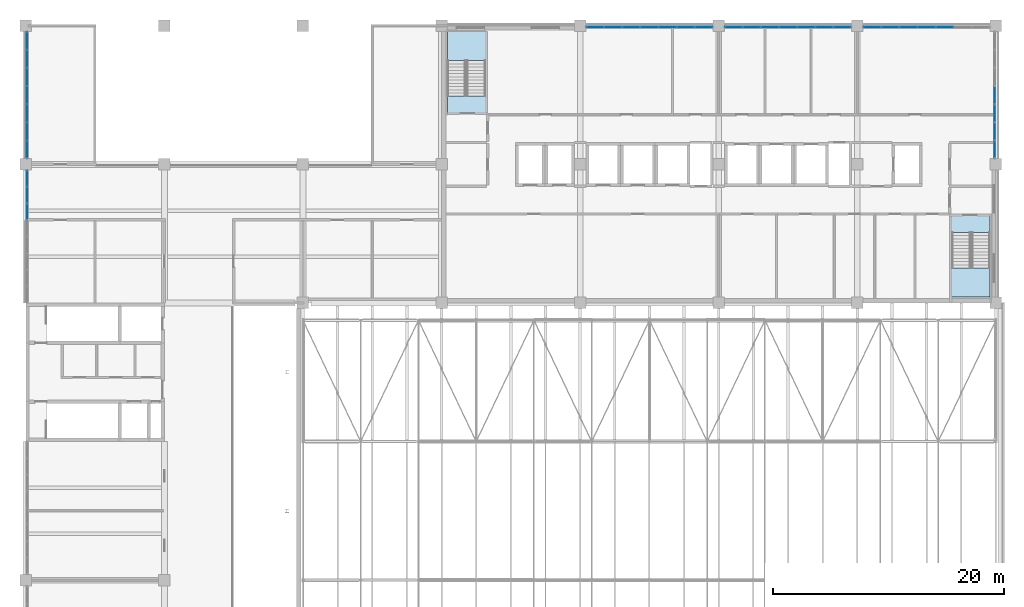
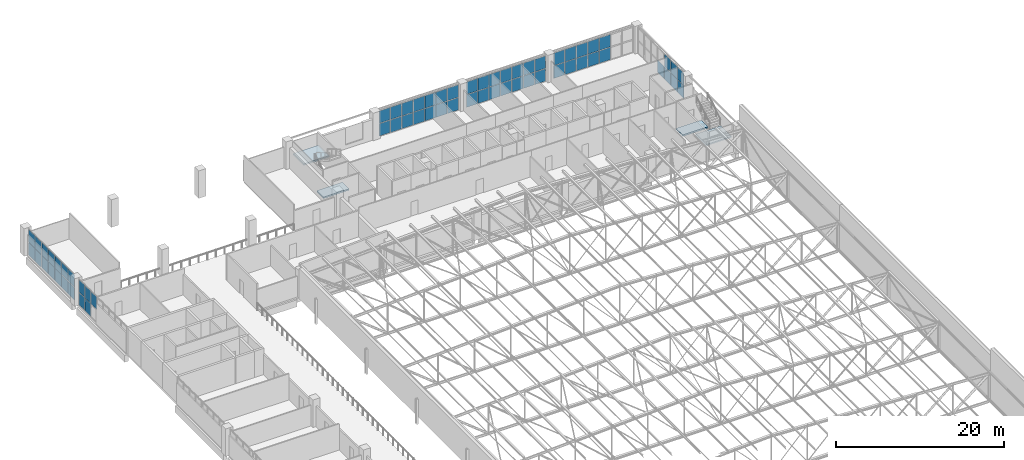
# One storey, part 139 of 156: 64 plates, 4 slabs, 8 elements without a shape of their own.
"""IFC4 building model written with IfcOpenShell, lengths in metres."""

from ifc_helpers import new_model, si_unit, direction, frame, origin, origin_2d, place, context, subcontext, project, spatial, polyline, rectangle, outline, extrude, material, layer, layer_set, type_object, element, aggregate, save


model = new_model("IFC4")

# Units and contexts
model_context = context("Model", 3, precision=1e-05, world=origin(), true_north=direction((0.0, 1.0)))
body_context = subcontext(model_context, "Body", "Model", "MODEL_VIEW")
ifc_project = project(units=[si_unit("LENGTHUNIT", "METRE"), si_unit("AREAUNIT", "SQUARE_METRE"), si_unit("VOLUMEUNIT", "CUBIC_METRE"), si_unit("PLANEANGLEUNIT", "RADIAN"), si_unit("MASSUNIT", "GRAM", prefix="KILO")], contexts=[model_context])

# Site, building, storey
site_placement = place(None, origin())
site = spatial("IfcSite", under=ifc_project, at=site_placement, CompositionType="ELEMENT")
building_placement = place(site_placement, origin())
building = spatial("IfcBuilding", under=site, at=building_placement, Name="Lilac Gate Convention Centre", CompositionType="ELEMENT")
storey_placement = place(building_placement, frame((0.0, 0.0, 17.0)))
storey = spatial("IfcBuildingStorey", under=building, at=storey_placement, Name="L03", CompositionType="ELEMENT", Elevation=17.0)

# Curtain wall, plates
ifc_material_1 = material(Name="Aluminium framed double glazing", Category="aluminium")
ifc_layer_1 = layer(ifc_material_1, 0.199951171875)
ifc_layer_set_1 = layer_set([ifc_layer_1], Name="Aluminium framed double glazing")
curtain_wall_type = type_object("IfcCurtainWallType", Name="Unitised curtain wall 1500", PredefinedType="NOTDEFINED", material=ifc_layer_set_1)
curtain_wall_1_placement = place(storey_placement, origin())
curtain_wall_1 = element("IfcCurtainWall", 1, at=curtain_wall_1_placement, inside=storey, type_object=curtain_wall_type, Name="Curtain wall E L03 2", PredefinedType="NOTDEFINED")
ifc_material_2 = material(Name="Double glazed unit low emissivity")
ifc_layer_2 = layer(ifc_material_2, 0.028076171875)
ifc_layer_set_2 = layer_set([ifc_layer_2], Name="Double glazed unit low emissivity")
plate_type_1 = type_object("IfcPlateType", Name="Curtain wall glass panel 28", PredefinedType="CURTAIN_PANEL", material=ifc_layer_set_2)
plate_1_placement = place(storey_placement, frame((89.89990234375, 235.30078125, 1.929931640625), z_axis=(0.0, 0.0, 1.0), x_axis=(0.0, 1.0, 0.0)))
plate_1 = element("IfcPlate", 2, at=plate_1_placement, type_object=plate_type_1, Name="CW panel 1.2", PredefinedType="CURTAIN_PANEL", context=body_context, shape_type="SweptSolid", body=[
    extrude(rectangle(XDim=1.4814453125, YDim=0.028076171875, at=origin_2d()), origin(), (0.0, 0.0, 1.0), 1.81005859375),
])
plate_2_placement = place(storey_placement, frame((89.89990234375, 236.857177734375, 1.929931640625), z_axis=(0.0, 0.0, 1.0), x_axis=(0.0, 1.0, 0.0)))
plate_2 = element("IfcPlate", 3, at=plate_2_placement, type_object=plate_type_1, Name="CW panel 2.2", PredefinedType="CURTAIN_PANEL", context=body_context, shape_type="SweptSolid", body=[
    extrude(rectangle(XDim=1.511474609375, YDim=0.028076171875, at=origin_2d()), origin(), (0.0, 0.0, 1.0), 1.81005859375),
])
plate_3_placement = place(storey_placement, frame((89.89990234375, 238.428466796875, 1.929931640625), z_axis=(0.0, 0.0, 1.0), x_axis=(0.0, 1.0, 0.0)))
plate_3 = element("IfcPlate", 4, at=plate_3_placement, type_object=plate_type_1, Name="CW panel 3.2", PredefinedType="CURTAIN_PANEL", context=body_context, shape_type="SweptSolid", body=[
    extrude(rectangle(XDim=1.511474609375, YDim=0.028076171875, at=origin_2d()), origin(), (0.0, 0.0, 1.0), 1.81005859375),
])

curtain_wall_2_placement = place(storey_placement, origin())
curtain_wall_2 = element("IfcCurtainWall", 5, at=curtain_wall_2_placement, inside=storey, type_object=curtain_wall_type, Name="Curtain wall N L03 1", PredefinedType="NOTDEFINED")
plate_4_placement = place(storey_placement, frame((85.571533203125, 245.89990234375, 1.929931640625), z_axis=(0.0, 0.0, 1.0), x_axis=(-1.0, 0.0, 0.0)))
plate_4 = element("IfcPlate", 6, at=plate_4_placement, type_object=plate_type_1, Name="CW panel 3.2", PredefinedType="CURTAIN_PANEL", context=body_context, shape_type="SweptSolid", body=[
    extrude(rectangle(XDim=1.511474609375, YDim=0.028076171875, at=origin_2d()), origin(), (0.0, 0.0, 1.0), 1.81005859375),
])
plate_5_placement = place(storey_placement, frame((84.0, 245.89990234375, 1.929931640625), z_axis=(0.0, 0.0, 1.0), x_axis=(-1.0, 0.0, 0.0)))
plate_5 = element("IfcPlate", 7, at=plate_5_placement, type_object=plate_type_1, Name="CW panel 4.2", PredefinedType="CURTAIN_PANEL", context=body_context, shape_type="SweptSolid", body=[
    extrude(rectangle(XDim=1.511474609375, YDim=0.028076171875, at=origin_2d()), origin(), (0.0, 0.0, 1.0), 1.81005859375),
])
plate_6_placement = place(storey_placement, frame((82.428466796875, 245.89990234375, 1.929931640625), z_axis=(0.0, 0.0, 1.0), x_axis=(-1.0, 0.0, 0.0)))
plate_6 = element("IfcPlate", 8, at=plate_6_placement, type_object=plate_type_1, Name="CW panel 5.2", PredefinedType="CURTAIN_PANEL", context=body_context, shape_type="SweptSolid", body=[
    extrude(rectangle(XDim=1.511474609375, YDim=0.028076171875, at=origin_2d()), origin(), (0.0, 0.0, 1.0), 1.81005859375),
])
plate_7_placement = place(storey_placement, frame((80.857177734375, 245.89990234375, 1.929931640625), z_axis=(0.0, 0.0, 1.0), x_axis=(-1.0, 0.0, 0.0)))
plate_7 = element("IfcPlate", 9, at=plate_7_placement, type_object=plate_type_1, Name="CW panel 6.2", PredefinedType="CURTAIN_PANEL", context=body_context, shape_type="SweptSolid", body=[
    extrude(rectangle(XDim=1.511474609375, YDim=0.028076171875, at=origin_2d()), origin(), (0.0, 0.0, 1.0), 1.81005859375),
])
plate_8_placement = place(storey_placement, frame((79.30078125, 245.89990234375, 1.929931640625), z_axis=(0.0, 0.0, 1.0), x_axis=(-1.0, 0.0, 0.0)))
plate_8 = element("IfcPlate", 10, at=plate_8_placement, type_object=plate_type_1, Name="CW panel 7.2", PredefinedType="CURTAIN_PANEL", context=body_context, shape_type="SweptSolid", body=[
    extrude(rectangle(XDim=1.4814453125, YDim=0.028076171875, at=origin_2d()), origin(), (0.0, 0.0, 1.0), 1.81005859375),
])

curtain_wall_3_placement = place(storey_placement, origin())
curtain_wall_3 = element("IfcCurtainWall", 11, at=curtain_wall_3_placement, inside=storey, type_object=curtain_wall_type, Name="Curtain wall N L03 2", PredefinedType="NOTDEFINED")
plate_9_placement = place(storey_placement, frame((76.69921875, 245.89990234375, 1.929931640625), z_axis=(0.0, 0.0, 1.0), x_axis=(-1.0, 0.0, 0.0)))
plate_9 = element("IfcPlate", 12, at=plate_9_placement, type_object=plate_type_1, Name="CW panel 1.2", PredefinedType="CURTAIN_PANEL", context=body_context, shape_type="SweptSolid", body=[
    extrude(rectangle(XDim=1.4814453125, YDim=0.028076171875, at=origin_2d()), origin(), (0.0, 0.0, 1.0), 1.81005859375),
])
plate_10_placement = place(storey_placement, frame((75.142822265625, 245.89990234375, 1.929931640625), z_axis=(0.0, 0.0, 1.0), x_axis=(-1.0, 0.0, 0.0)))
plate_10 = element("IfcPlate", 13, at=plate_10_placement, type_object=plate_type_1, Name="CW panel 2.2", PredefinedType="CURTAIN_PANEL", context=body_context, shape_type="SweptSolid", body=[
    extrude(rectangle(XDim=1.511474609375, YDim=0.028076171875, at=origin_2d()), origin(), (0.0, 0.0, 1.0), 1.81005859375),
])
plate_11_placement = place(storey_placement, frame((73.571533203125, 245.89990234375, 1.929931640625), z_axis=(0.0, 0.0, 1.0), x_axis=(-1.0, 0.0, 0.0)))
plate_11 = element("IfcPlate", 14, at=plate_11_placement, type_object=plate_type_1, Name="CW panel 3.2", PredefinedType="CURTAIN_PANEL", context=body_context, shape_type="SweptSolid", body=[
    extrude(rectangle(XDim=1.511474609375, YDim=0.028076171875, at=origin_2d()), origin(), (0.0, 0.0, 1.0), 1.81005859375),
])
plate_12_placement = place(storey_placement, frame((72.0, 245.89990234375, 1.929931640625), z_axis=(0.0, 0.0, 1.0), x_axis=(-1.0, 0.0, 0.0)))
plate_12 = element("IfcPlate", 15, at=plate_12_placement, type_object=plate_type_1, Name="CW panel 4.2", PredefinedType="CURTAIN_PANEL", context=body_context, shape_type="SweptSolid", body=[
    extrude(rectangle(XDim=1.511474609375, YDim=0.028076171875, at=origin_2d()), origin(), (0.0, 0.0, 1.0), 1.81005859375),
])
plate_13_placement = place(storey_placement, frame((70.428466796875, 245.89990234375, 1.929931640625), z_axis=(0.0, 0.0, 1.0), x_axis=(-1.0, 0.0, 0.0)))
plate_13 = element("IfcPlate", 16, at=plate_13_placement, type_object=plate_type_1, Name="CW panel 5.2", PredefinedType="CURTAIN_PANEL", context=body_context, shape_type="SweptSolid", body=[
    extrude(rectangle(XDim=1.511474609375, YDim=0.028076171875, at=origin_2d()), origin(), (0.0, 0.0, 1.0), 1.81005859375),
])
plate_14_placement = place(storey_placement, frame((68.857177734375, 245.89990234375, 1.929931640625), z_axis=(0.0, 0.0, 1.0), x_axis=(-1.0, 0.0, 0.0)))
plate_14 = element("IfcPlate", 17, at=plate_14_placement, type_object=plate_type_1, Name="CW panel 6.2", PredefinedType="CURTAIN_PANEL", context=body_context, shape_type="SweptSolid", body=[
    extrude(rectangle(XDim=1.511474609375, YDim=0.028076171875, at=origin_2d()), origin(), (0.0, 0.0, 1.0), 1.81005859375),
])
plate_15_placement = place(storey_placement, frame((67.30078125, 245.89990234375, 1.929931640625), z_axis=(0.0, 0.0, 1.0), x_axis=(-1.0, 0.0, 0.0)))
plate_15 = element("IfcPlate", 18, at=plate_15_placement, type_object=plate_type_1, Name="CW panel 7.2", PredefinedType="CURTAIN_PANEL", context=body_context, shape_type="SweptSolid", body=[
    extrude(rectangle(XDim=1.4814453125, YDim=0.028076171875, at=origin_2d()), origin(), (0.0, 0.0, 1.0), 1.81005859375),
])

curtain_wall_4_placement = place(storey_placement, origin())
curtain_wall_4 = element("IfcCurtainWall", 19, at=curtain_wall_4_placement, inside=storey, type_object=curtain_wall_type, Name="Curtain wall N L03 3", PredefinedType="NOTDEFINED")
plate_16_placement = place(storey_placement, frame((64.69921875, 245.89990234375, 1.929931640625), z_axis=(0.0, 0.0, 1.0), x_axis=(-1.0, 0.0, 0.0)))
plate_16 = element("IfcPlate", 20, at=plate_16_placement, type_object=plate_type_1, Name="CW panel 1.2", PredefinedType="CURTAIN_PANEL", context=body_context, shape_type="SweptSolid", body=[
    extrude(rectangle(XDim=1.4814453125, YDim=0.028076171875, at=origin_2d()), origin(), (0.0, 0.0, 1.0), 1.81005859375),
])
plate_17_placement = place(storey_placement, frame((63.142822265625, 245.89990234375, 1.929931640625), z_axis=(0.0, 0.0, 1.0), x_axis=(-1.0, 0.0, 0.0)))
plate_17 = element("IfcPlate", 21, at=plate_17_placement, type_object=plate_type_1, Name="CW panel 2.2", PredefinedType="CURTAIN_PANEL", context=body_context, shape_type="SweptSolid", body=[
    extrude(rectangle(XDim=1.511474609375, YDim=0.028076171875, at=origin_2d()), origin(), (0.0, 0.0, 1.0), 1.81005859375),
])
plate_18_placement = place(storey_placement, frame((61.571533203125, 245.89990234375, 1.929931640625), z_axis=(0.0, 0.0, 1.0), x_axis=(-1.0, 0.0, 0.0)))
plate_18 = element("IfcPlate", 22, at=plate_18_placement, type_object=plate_type_1, Name="CW panel 3.2", PredefinedType="CURTAIN_PANEL", context=body_context, shape_type="SweptSolid", body=[
    extrude(rectangle(XDim=1.511474609375, YDim=0.028076171875, at=origin_2d()), origin(), (0.0, 0.0, 1.0), 1.81005859375),
])
plate_19_placement = place(storey_placement, frame((60.0, 245.89990234375, 1.929931640625), z_axis=(0.0, 0.0, 1.0), x_axis=(-1.0, 0.0, 0.0)))
plate_19 = element("IfcPlate", 23, at=plate_19_placement, type_object=plate_type_1, Name="CW panel 4.2", PredefinedType="CURTAIN_PANEL", context=body_context, shape_type="SweptSolid", body=[
    extrude(rectangle(XDim=1.511474609375, YDim=0.028076171875, at=origin_2d()), origin(), (0.0, 0.0, 1.0), 1.81005859375),
])
plate_20_placement = place(storey_placement, frame((58.428466796875, 245.89990234375, 1.929931640625), z_axis=(0.0, 0.0, 1.0), x_axis=(-1.0, 0.0, 0.0)))
plate_20 = element("IfcPlate", 24, at=plate_20_placement, type_object=plate_type_1, Name="CW panel 5.2", PredefinedType="CURTAIN_PANEL", context=body_context, shape_type="SweptSolid", body=[
    extrude(rectangle(XDim=1.511474609375, YDim=0.028076171875, at=origin_2d()), origin(), (0.0, 0.0, 1.0), 1.81005859375),
])
plate_21_placement = place(storey_placement, frame((56.857177734375, 245.89990234375, 1.929931640625), z_axis=(0.0, 0.0, 1.0), x_axis=(-1.0, 0.0, 0.0)))
plate_21 = element("IfcPlate", 25, at=plate_21_placement, type_object=plate_type_1, Name="CW panel 6.2", PredefinedType="CURTAIN_PANEL", context=body_context, shape_type="SweptSolid", body=[
    extrude(rectangle(XDim=1.511474609375, YDim=0.028076171875, at=origin_2d()), origin(), (0.0, 0.0, 1.0), 1.81005859375),
])
plate_22_placement = place(storey_placement, frame((55.30078125, 245.89990234375, 1.929931640625), z_axis=(0.0, 0.0, 1.0), x_axis=(-1.0, 0.0, 0.0)))
plate_22 = element("IfcPlate", 26, at=plate_22_placement, type_object=plate_type_1, Name="CW panel 7.2", PredefinedType="CURTAIN_PANEL", context=body_context, shape_type="SweptSolid", body=[
    extrude(rectangle(XDim=1.4814453125, YDim=0.028076171875, at=origin_2d()), origin(), (0.0, 0.0, 1.0), 1.81005859375),
])

curtain_wall_5_placement = place(storey_placement, origin())
curtain_wall_5 = element("IfcCurtainWall", 27, at=curtain_wall_5_placement, inside=storey, type_object=curtain_wall_type, Name="Curtain wall GW L03 1", PredefinedType="NOTDEFINED")
plate_23_placement = place(storey_placement, frame((6.10009765625, 244.69921875, 1.929931640625), z_axis=(0.0, 0.0, 1.0), x_axis=(0.0, -1.0, 0.0)))
plate_23 = element("IfcPlate", 28, at=plate_23_placement, type_object=plate_type_1, Name="CW panel 1.2", PredefinedType="CURTAIN_PANEL", context=body_context, shape_type="SweptSolid", body=[
    extrude(rectangle(XDim=1.4814453125, YDim=0.028076171875, at=origin_2d()), origin(), (0.0, 0.0, 1.0), 1.81005859375),
])
plate_24_placement = place(storey_placement, frame((6.10009765625, 243.142822265625, 1.929931640625), z_axis=(0.0, 0.0, 1.0), x_axis=(0.0, -1.0, 0.0)))
plate_24 = element("IfcPlate", 29, at=plate_24_placement, type_object=plate_type_1, Name="CW panel 2.2", PredefinedType="CURTAIN_PANEL", context=body_context, shape_type="SweptSolid", body=[
    extrude(rectangle(XDim=1.511474609375, YDim=0.028076171875, at=origin_2d()), origin(), (0.0, 0.0, 1.0), 1.81005859375),
])
plate_25_placement = place(storey_placement, frame((6.10009765625, 241.571533203125, 1.929931640625), z_axis=(0.0, 0.0, 1.0), x_axis=(0.0, -1.0, 0.0)))
plate_25 = element("IfcPlate", 30, at=plate_25_placement, type_object=plate_type_1, Name="CW panel 3.2", PredefinedType="CURTAIN_PANEL", context=body_context, shape_type="SweptSolid", body=[
    extrude(rectangle(XDim=1.511474609375, YDim=0.028076171875, at=origin_2d()), origin(), (0.0, 0.0, 1.0), 1.81005859375),
])
plate_26_placement = place(storey_placement, frame((6.10009765625, 240.0, 1.929931640625), z_axis=(0.0, 0.0, 1.0), x_axis=(0.0, -1.0, 0.0)))
plate_26 = element("IfcPlate", 31, at=plate_26_placement, type_object=plate_type_1, Name="CW panel 4.2", PredefinedType="CURTAIN_PANEL", context=body_context, shape_type="SweptSolid", body=[
    extrude(rectangle(XDim=1.511474609375, YDim=0.028076171875, at=origin_2d()), origin(), (0.0, 0.0, 1.0), 1.81005859375),
])
plate_27_placement = place(storey_placement, frame((6.10009765625, 238.428466796875, 1.929931640625), z_axis=(0.0, 0.0, 1.0), x_axis=(0.0, -1.0, 0.0)))
plate_27 = element("IfcPlate", 32, at=plate_27_placement, type_object=plate_type_1, Name="CW panel 5.2", PredefinedType="CURTAIN_PANEL", context=body_context, shape_type="SweptSolid", body=[
    extrude(rectangle(XDim=1.511474609375, YDim=0.028076171875, at=origin_2d()), origin(), (0.0, 0.0, 1.0), 1.81005859375),
])
plate_28_placement = place(storey_placement, frame((6.10009765625, 236.857177734375, 1.929931640625), z_axis=(0.0, 0.0, 1.0), x_axis=(0.0, -1.0, 0.0)))
plate_28 = element("IfcPlate", 33, at=plate_28_placement, type_object=plate_type_1, Name="CW panel 6.2", PredefinedType="CURTAIN_PANEL", context=body_context, shape_type="SweptSolid", body=[
    extrude(rectangle(XDim=1.511474609375, YDim=0.028076171875, at=origin_2d()), origin(), (0.0, 0.0, 1.0), 1.81005859375),
])
plate_29_placement = place(storey_placement, frame((6.10009765625, 235.30078125, 1.929931640625), z_axis=(0.0, 0.0, 1.0), x_axis=(0.0, -1.0, 0.0)))
plate_29 = element("IfcPlate", 34, at=plate_29_placement, type_object=plate_type_1, Name="CW panel 7.2", PredefinedType="CURTAIN_PANEL", context=body_context, shape_type="SweptSolid", body=[
    extrude(rectangle(XDim=1.4814453125, YDim=0.028076171875, at=origin_2d()), origin(), (0.0, 0.0, 1.0), 1.81005859375),
])

curtain_wall_6_placement = place(storey_placement, origin())
curtain_wall_6 = element("IfcCurtainWall", 35, at=curtain_wall_6_placement, inside=storey, type_object=curtain_wall_type, Name="Curtain wall GW L03 2", PredefinedType="NOTDEFINED")
plate_30_placement = place(storey_placement, frame((6.10009765625, 232.766357421875, 1.929931640625), z_axis=(0.0, 0.0, 1.0), x_axis=(0.0, -1.0, 0.0)))
plate_30 = element("IfcPlate", 36, at=plate_30_placement, type_object=plate_type_1, Name="CW panel 1.2", PredefinedType="CURTAIN_PANEL", context=body_context, shape_type="SweptSolid", body=[
    extrude(rectangle(XDim=1.347412109375, YDim=0.028076171875, at=origin_2d()), origin(), (0.0, 0.0, 1.0), 1.81005859375),
])
plate_31_placement = place(storey_placement, frame((6.10009765625, 231.34375, 1.929931640625), z_axis=(0.0, 0.0, 1.0), x_axis=(0.0, -1.0, 0.0)))
plate_31 = element("IfcPlate", 37, at=plate_31_placement, type_object=plate_type_1, Name="CW panel 2.2", PredefinedType="CURTAIN_PANEL", context=body_context, shape_type="SweptSolid", body=[
    extrude(rectangle(XDim=1.37744140625, YDim=0.028076171875, at=origin_2d()), origin(), (0.0, 0.0, 1.0), 1.81005859375),
])
plate_32_placement = place(storey_placement, frame((6.10009765625, 229.90625, 1.929931640625), z_axis=(0.0, 0.0, 1.0), x_axis=(0.0, -1.0, 0.0)))
plate_32 = element("IfcPlate", 38, at=plate_32_placement, type_object=plate_type_1, Name="CW panel 3.2", PredefinedType="CURTAIN_PANEL", context=body_context, shape_type="SweptSolid", body=[
    extrude(rectangle(XDim=1.37744140625, YDim=0.028076171875, at=origin_2d()), origin(), (0.0, 0.0, 1.0), 1.81005859375),
])

# Plate
ifc_material_3 = material(Name="Insulated aluminium spandrel panel", Category="aluminium")
ifc_layer_3 = layer(ifc_material_3, 0.028076171875)
ifc_layer_set_3 = layer_set([ifc_layer_3], Name="Insulated aluminium spandrel panel")
plate_type_2 = type_object("IfcPlateType", Name="Curtain wall spandrel panel 28", PredefinedType="CURTAIN_PANEL", material=ifc_layer_set_3)
plate_33_placement = place(storey_placement, frame((89.89990234375, 235.30078125, 0.06005859375), z_axis=(0.0, 0.0, 1.0), x_axis=(0.0, 1.0, 0.0)))
plate_33 = element("IfcPlate", 39, at=plate_33_placement, type_object=plate_type_2, Name="CW spandrel 1.1", PredefinedType="CURTAIN_PANEL", context=body_context, shape_type="SweptSolid", body=[
    extrude(rectangle(XDim=1.4814453125, YDim=0.028076171875, at=origin_2d()), origin(), (0.0, 0.0, 1.0), 1.81005859375),
])

plate_34_placement = place(storey_placement, frame((89.89990234375, 236.857177734375, 0.06005859375), z_axis=(0.0, 0.0, 1.0), x_axis=(0.0, 1.0, 0.0)))
plate_34 = element("IfcPlate", 40, at=plate_34_placement, type_object=plate_type_2, Name="CW spandrel 2.1", PredefinedType="CURTAIN_PANEL", context=body_context, shape_type="SweptSolid", body=[
    extrude(rectangle(XDim=1.511474609375, YDim=0.028076171875, at=origin_2d()), origin(), (0.0, 0.0, 1.0), 1.81005859375),
])

plate_35_placement = place(storey_placement, frame((89.89990234375, 238.428466796875, 0.06005859375), z_axis=(0.0, 0.0, 1.0), x_axis=(0.0, 1.0, 0.0)))
plate_35 = element("IfcPlate", 41, at=plate_35_placement, type_object=plate_type_2, Name="CW spandrel 3.1", PredefinedType="CURTAIN_PANEL", context=body_context, shape_type="SweptSolid", body=[
    extrude(rectangle(XDim=1.511474609375, YDim=0.028076171875, at=origin_2d()), origin(), (0.0, 0.0, 1.0), 1.81005859375),
])

plate_36_placement = place(storey_placement, frame((89.89990234375, 240.0, 0.06005859375), z_axis=(0.0, 0.0, 1.0), x_axis=(0.0, 1.0, 0.0)))
plate_36 = element("IfcPlate", 42, at=plate_36_placement, type_object=plate_type_2, Name="CW spandrel 4.1", PredefinedType="CURTAIN_PANEL", context=body_context, shape_type="SweptSolid", body=[
    extrude(rectangle(XDim=1.511474609375, YDim=0.028076171875, at=origin_2d()), origin(), (0.0, 0.0, 1.0), 1.81005859375),
])

aggregate(curtain_wall_1, [plate_33, plate_1, plate_34, plate_2, plate_35, plate_3, plate_36])

plate_37_placement = place(storey_placement, frame((85.571533203125, 245.89990234375, 0.06005859375), z_axis=(0.0, 0.0, 1.0), x_axis=(-1.0, 0.0, 0.0)))
plate_37 = element("IfcPlate", 43, at=plate_37_placement, type_object=plate_type_2, Name="CW spandrel 3.1", PredefinedType="CURTAIN_PANEL", context=body_context, shape_type="SweptSolid", body=[
    extrude(rectangle(XDim=1.511474609375, YDim=0.028076171875, at=origin_2d()), origin(), (0.0, 0.0, 1.0), 1.81005859375),
])

plate_38_placement = place(storey_placement, frame((84.0, 245.89990234375, 0.06005859375), z_axis=(0.0, 0.0, 1.0), x_axis=(-1.0, 0.0, 0.0)))
plate_38 = element("IfcPlate", 44, at=plate_38_placement, type_object=plate_type_2, Name="CW spandrel 4.1", PredefinedType="CURTAIN_PANEL", context=body_context, shape_type="SweptSolid", body=[
    extrude(rectangle(XDim=1.511474609375, YDim=0.028076171875, at=origin_2d()), origin(), (0.0, 0.0, 1.0), 1.81005859375),
])

plate_39_placement = place(storey_placement, frame((82.428466796875, 245.89990234375, 0.06005859375), z_axis=(0.0, 0.0, 1.0), x_axis=(-1.0, 0.0, 0.0)))
plate_39 = element("IfcPlate", 45, at=plate_39_placement, type_object=plate_type_2, Name="CW spandrel 5.1", PredefinedType="CURTAIN_PANEL", context=body_context, shape_type="SweptSolid", body=[
    extrude(rectangle(XDim=1.511474609375, YDim=0.028076171875, at=origin_2d()), origin(), (0.0, 0.0, 1.0), 1.81005859375),
])

plate_40_placement = place(storey_placement, frame((80.857177734375, 245.89990234375, 0.06005859375), z_axis=(0.0, 0.0, 1.0), x_axis=(-1.0, 0.0, 0.0)))
plate_40 = element("IfcPlate", 46, at=plate_40_placement, type_object=plate_type_2, Name="CW spandrel 6.1", PredefinedType="CURTAIN_PANEL", context=body_context, shape_type="SweptSolid", body=[
    extrude(rectangle(XDim=1.511474609375, YDim=0.028076171875, at=origin_2d()), origin(), (0.0, 0.0, 1.0), 1.81005859375),
])

plate_41_placement = place(storey_placement, frame((79.30078125, 245.89990234375, 0.06005859375), z_axis=(0.0, 0.0, 1.0), x_axis=(-1.0, 0.0, 0.0)))
plate_41 = element("IfcPlate", 47, at=plate_41_placement, type_object=plate_type_2, Name="CW spandrel 7.1", PredefinedType="CURTAIN_PANEL", context=body_context, shape_type="SweptSolid", body=[
    extrude(rectangle(XDim=1.4814453125, YDim=0.028076171875, at=origin_2d()), origin(), (0.0, 0.0, 1.0), 1.81005859375),
])

aggregate(curtain_wall_2, [plate_37, plate_4, plate_38, plate_5, plate_39, plate_6, plate_40, plate_7, plate_41, plate_8])

plate_42_placement = place(storey_placement, frame((76.69921875, 245.89990234375, 0.06005859375), z_axis=(0.0, 0.0, 1.0), x_axis=(-1.0, 0.0, 0.0)))
plate_42 = element("IfcPlate", 48, at=plate_42_placement, type_object=plate_type_2, Name="CW spandrel 1.1", PredefinedType="CURTAIN_PANEL", context=body_context, shape_type="SweptSolid", body=[
    extrude(rectangle(XDim=1.4814453125, YDim=0.028076171875, at=origin_2d()), origin(), (0.0, 0.0, 1.0), 1.81005859375),
])

plate_43_placement = place(storey_placement, frame((75.142822265625, 245.89990234375, 0.06005859375), z_axis=(0.0, 0.0, 1.0), x_axis=(-1.0, 0.0, 0.0)))
plate_43 = element("IfcPlate", 49, at=plate_43_placement, type_object=plate_type_2, Name="CW spandrel 2.1", PredefinedType="CURTAIN_PANEL", context=body_context, shape_type="SweptSolid", body=[
    extrude(rectangle(XDim=1.511474609375, YDim=0.028076171875, at=origin_2d()), origin(), (0.0, 0.0, 1.0), 1.81005859375),
])

plate_44_placement = place(storey_placement, frame((73.571533203125, 245.89990234375, 0.06005859375), z_axis=(0.0, 0.0, 1.0), x_axis=(-1.0, 0.0, 0.0)))
plate_44 = element("IfcPlate", 50, at=plate_44_placement, type_object=plate_type_2, Name="CW spandrel 3.1", PredefinedType="CURTAIN_PANEL", context=body_context, shape_type="SweptSolid", body=[
    extrude(rectangle(XDim=1.511474609375, YDim=0.028076171875, at=origin_2d()), origin(), (0.0, 0.0, 1.0), 1.81005859375),
])

plate_45_placement = place(storey_placement, frame((72.0, 245.89990234375, 0.06005859375), z_axis=(0.0, 0.0, 1.0), x_axis=(-1.0, 0.0, 0.0)))
plate_45 = element("IfcPlate", 51, at=plate_45_placement, type_object=plate_type_2, Name="CW spandrel 4.1", PredefinedType="CURTAIN_PANEL", context=body_context, shape_type="SweptSolid", body=[
    extrude(rectangle(XDim=1.511474609375, YDim=0.028076171875, at=origin_2d()), origin(), (0.0, 0.0, 1.0), 1.81005859375),
])

plate_46_placement = place(storey_placement, frame((70.428466796875, 245.89990234375, 0.06005859375), z_axis=(0.0, 0.0, 1.0), x_axis=(-1.0, 0.0, 0.0)))
plate_46 = element("IfcPlate", 52, at=plate_46_placement, type_object=plate_type_2, Name="CW spandrel 5.1", PredefinedType="CURTAIN_PANEL", context=body_context, shape_type="SweptSolid", body=[
    extrude(rectangle(XDim=1.511474609375, YDim=0.028076171875, at=origin_2d()), origin(), (0.0, 0.0, 1.0), 1.81005859375),
])

plate_47_placement = place(storey_placement, frame((68.857177734375, 245.89990234375, 0.06005859375), z_axis=(0.0, 0.0, 1.0), x_axis=(-1.0, 0.0, 0.0)))
plate_47 = element("IfcPlate", 53, at=plate_47_placement, type_object=plate_type_2, Name="CW spandrel 6.1", PredefinedType="CURTAIN_PANEL", context=body_context, shape_type="SweptSolid", body=[
    extrude(rectangle(XDim=1.511474609375, YDim=0.028076171875, at=origin_2d()), origin(), (0.0, 0.0, 1.0), 1.81005859375),
])

plate_48_placement = place(storey_placement, frame((67.30078125, 245.89990234375, 0.06005859375), z_axis=(0.0, 0.0, 1.0), x_axis=(-1.0, 0.0, 0.0)))
plate_48 = element("IfcPlate", 54, at=plate_48_placement, type_object=plate_type_2, Name="CW spandrel 7.1", PredefinedType="CURTAIN_PANEL", context=body_context, shape_type="SweptSolid", body=[
    extrude(rectangle(XDim=1.4814453125, YDim=0.028076171875, at=origin_2d()), origin(), (0.0, 0.0, 1.0), 1.81005859375),
])

aggregate(curtain_wall_3, [plate_42, plate_9, plate_43, plate_10, plate_44, plate_11, plate_45, plate_12, plate_46, plate_13, plate_47, plate_14, plate_48, plate_15])

plate_49_placement = place(storey_placement, frame((64.69921875, 245.89990234375, 0.06005859375), z_axis=(0.0, 0.0, 1.0), x_axis=(-1.0, 0.0, 0.0)))
plate_49 = element("IfcPlate", 55, at=plate_49_placement, type_object=plate_type_2, Name="CW spandrel 1.1", PredefinedType="CURTAIN_PANEL", context=body_context, shape_type="SweptSolid", body=[
    extrude(rectangle(XDim=1.4814453125, YDim=0.028076171875, at=origin_2d()), origin(), (0.0, 0.0, 1.0), 1.81005859375),
])

plate_50_placement = place(storey_placement, frame((63.142822265625, 245.89990234375, 0.06005859375), z_axis=(0.0, 0.0, 1.0), x_axis=(-1.0, 0.0, 0.0)))
plate_50 = element("IfcPlate", 56, at=plate_50_placement, type_object=plate_type_2, Name="CW spandrel 2.1", PredefinedType="CURTAIN_PANEL", context=body_context, shape_type="SweptSolid", body=[
    extrude(rectangle(XDim=1.511474609375, YDim=0.028076171875, at=origin_2d()), origin(), (0.0, 0.0, 1.0), 1.81005859375),
])

plate_51_placement = place(storey_placement, frame((61.571533203125, 245.89990234375, 0.06005859375), z_axis=(0.0, 0.0, 1.0), x_axis=(-1.0, 0.0, 0.0)))
plate_51 = element("IfcPlate", 57, at=plate_51_placement, type_object=plate_type_2, Name="CW spandrel 3.1", PredefinedType="CURTAIN_PANEL", context=body_context, shape_type="SweptSolid", body=[
    extrude(rectangle(XDim=1.511474609375, YDim=0.028076171875, at=origin_2d()), origin(), (0.0, 0.0, 1.0), 1.81005859375),
])

plate_52_placement = place(storey_placement, frame((60.0, 245.89990234375, 0.06005859375), z_axis=(0.0, 0.0, 1.0), x_axis=(-1.0, 0.0, 0.0)))
plate_52 = element("IfcPlate", 58, at=plate_52_placement, type_object=plate_type_2, Name="CW spandrel 4.1", PredefinedType="CURTAIN_PANEL", context=body_context, shape_type="SweptSolid", body=[
    extrude(rectangle(XDim=1.511474609375, YDim=0.028076171875, at=origin_2d()), origin(), (0.0, 0.0, 1.0), 1.81005859375),
])

plate_53_placement = place(storey_placement, frame((58.428466796875, 245.89990234375, 0.06005859375), z_axis=(0.0, 0.0, 1.0), x_axis=(-1.0, 0.0, 0.0)))
plate_53 = element("IfcPlate", 59, at=plate_53_placement, type_object=plate_type_2, Name="CW spandrel 5.1", PredefinedType="CURTAIN_PANEL", context=body_context, shape_type="SweptSolid", body=[
    extrude(rectangle(XDim=1.511474609375, YDim=0.028076171875, at=origin_2d()), origin(), (0.0, 0.0, 1.0), 1.81005859375),
])

plate_54_placement = place(storey_placement, frame((56.857177734375, 245.89990234375, 0.06005859375), z_axis=(0.0, 0.0, 1.0), x_axis=(-1.0, 0.0, 0.0)))
plate_54 = element("IfcPlate", 60, at=plate_54_placement, type_object=plate_type_2, Name="CW spandrel 6.1", PredefinedType="CURTAIN_PANEL", context=body_context, shape_type="SweptSolid", body=[
    extrude(rectangle(XDim=1.511474609375, YDim=0.028076171875, at=origin_2d()), origin(), (0.0, 0.0, 1.0), 1.81005859375),
])

plate_55_placement = place(storey_placement, frame((55.30078125, 245.89990234375, 0.06005859375), z_axis=(0.0, 0.0, 1.0), x_axis=(-1.0, 0.0, 0.0)))
plate_55 = element("IfcPlate", 61, at=plate_55_placement, type_object=plate_type_2, Name="CW spandrel 7.1", PredefinedType="CURTAIN_PANEL", context=body_context, shape_type="SweptSolid", body=[
    extrude(rectangle(XDim=1.4814453125, YDim=0.028076171875, at=origin_2d()), origin(), (0.0, 0.0, 1.0), 1.81005859375),
])

aggregate(curtain_wall_4, [plate_49, plate_16, plate_50, plate_17, plate_51, plate_18, plate_52, plate_19, plate_53, plate_20, plate_54, plate_21, plate_55, plate_22])

plate_56_placement = place(storey_placement, frame((6.10009765625, 244.69921875, 0.06005859375), z_axis=(0.0, 0.0, 1.0), x_axis=(0.0, -1.0, 0.0)))
plate_56 = element("IfcPlate", 62, at=plate_56_placement, type_object=plate_type_2, Name="CW spandrel 1.1", PredefinedType="CURTAIN_PANEL", context=body_context, shape_type="SweptSolid", body=[
    extrude(rectangle(XDim=1.4814453125, YDim=0.028076171875, at=origin_2d()), origin(), (0.0, 0.0, 1.0), 1.81005859375),
])

plate_57_placement = place(storey_placement, frame((6.10009765625, 243.142822265625, 0.06005859375), z_axis=(0.0, 0.0, 1.0), x_axis=(0.0, -1.0, 0.0)))
plate_57 = element("IfcPlate", 63, at=plate_57_placement, type_object=plate_type_2, Name="CW spandrel 2.1", PredefinedType="CURTAIN_PANEL", context=body_context, shape_type="SweptSolid", body=[
    extrude(rectangle(XDim=1.511474609375, YDim=0.028076171875, at=origin_2d()), origin(), (0.0, 0.0, 1.0), 1.81005859375),
])

plate_58_placement = place(storey_placement, frame((6.10009765625, 241.571533203125, 0.06005859375), z_axis=(0.0, 0.0, 1.0), x_axis=(0.0, -1.0, 0.0)))
plate_58 = element("IfcPlate", 64, at=plate_58_placement, type_object=plate_type_2, Name="CW spandrel 3.1", PredefinedType="CURTAIN_PANEL", context=body_context, shape_type="SweptSolid", body=[
    extrude(rectangle(XDim=1.511474609375, YDim=0.028076171875, at=origin_2d()), origin(), (0.0, 0.0, 1.0), 1.81005859375),
])

plate_59_placement = place(storey_placement, frame((6.10009765625, 240.0, 0.06005859375), z_axis=(0.0, 0.0, 1.0), x_axis=(0.0, -1.0, 0.0)))
plate_59 = element("IfcPlate", 65, at=plate_59_placement, type_object=plate_type_2, Name="CW spandrel 4.1", PredefinedType="CURTAIN_PANEL", context=body_context, shape_type="SweptSolid", body=[
    extrude(rectangle(XDim=1.511474609375, YDim=0.028076171875, at=origin_2d()), origin(), (0.0, 0.0, 1.0), 1.81005859375),
])

plate_60_placement = place(storey_placement, frame((6.10009765625, 238.428466796875, 0.06005859375), z_axis=(0.0, 0.0, 1.0), x_axis=(0.0, -1.0, 0.0)))
plate_60 = element("IfcPlate", 66, at=plate_60_placement, type_object=plate_type_2, Name="CW spandrel 5.1", PredefinedType="CURTAIN_PANEL", context=body_context, shape_type="SweptSolid", body=[
    extrude(rectangle(XDim=1.511474609375, YDim=0.028076171875, at=origin_2d()), origin(), (0.0, 0.0, 1.0), 1.81005859375),
])

plate_61_placement = place(storey_placement, frame((6.10009765625, 236.857177734375, 0.06005859375), z_axis=(0.0, 0.0, 1.0), x_axis=(0.0, -1.0, 0.0)))
plate_61 = element("IfcPlate", 67, at=plate_61_placement, type_object=plate_type_2, Name="CW spandrel 6.1", PredefinedType="CURTAIN_PANEL", context=body_context, shape_type="SweptSolid", body=[
    extrude(rectangle(XDim=1.511474609375, YDim=0.028076171875, at=origin_2d()), origin(), (0.0, 0.0, 1.0), 1.81005859375),
])

plate_62_placement = place(storey_placement, frame((6.10009765625, 235.30078125, 0.06005859375), z_axis=(0.0, 0.0, 1.0), x_axis=(0.0, -1.0, 0.0)))
plate_62 = element("IfcPlate", 68, at=plate_62_placement, type_object=plate_type_2, Name="CW spandrel 7.1", PredefinedType="CURTAIN_PANEL", context=body_context, shape_type="SweptSolid", body=[
    extrude(rectangle(XDim=1.4814453125, YDim=0.028076171875, at=origin_2d()), origin(), (0.0, 0.0, 1.0), 1.81005859375),
])

aggregate(curtain_wall_5, [plate_56, plate_23, plate_57, plate_24, plate_58, plate_25, plate_59, plate_26, plate_60, plate_27, plate_61, plate_28, plate_62, plate_29])

plate_63_placement = place(storey_placement, frame((6.10009765625, 232.766357421875, 0.06005859375), z_axis=(0.0, 0.0, 1.0), x_axis=(0.0, -1.0, 0.0)))
plate_63 = element("IfcPlate", 69, at=plate_63_placement, type_object=plate_type_2, Name="CW spandrel 1.1", PredefinedType="CURTAIN_PANEL", context=body_context, shape_type="SweptSolid", body=[
    extrude(rectangle(XDim=1.347412109375, YDim=0.028076171875, at=origin_2d()), origin(), (0.0, 0.0, 1.0), 1.81005859375),
])

plate_64_placement = place(storey_placement, frame((6.10009765625, 231.34375, 0.06005859375), z_axis=(0.0, 0.0, 1.0), x_axis=(0.0, -1.0, 0.0)))
plate_64 = element("IfcPlate", 70, at=plate_64_placement, type_object=plate_type_2, Name="CW spandrel 2.1", PredefinedType="CURTAIN_PANEL", context=body_context, shape_type="SweptSolid", body=[
    extrude(rectangle(XDim=1.37744140625, YDim=0.028076171875, at=origin_2d()), origin(), (0.0, 0.0, 1.0), 1.81005859375),
])

aggregate(curtain_wall_6, [plate_63, plate_30, plate_64, plate_31, plate_32])

# Stair, slabs
ifc_material_4 = material(Name="Concrete C40", Category="concrete")
stair_type = type_object("IfcStairType", Name="Exit stair", PredefinedType="DOUBLE_RETURN_STAIR", material=ifc_material_4)
stair_1_placement = place(storey_placement, origin())
stair_1 = element("IfcStair", 71, at=stair_1_placement, inside=storey, type_object=stair_type, Name="Exit stair NW L03", PredefinedType="DOUBLE_RETURN_STAIR")
ifc_layer_4 = layer(ifc_material_4, 0.199951171875)
ifc_layer_set_4 = layer_set([ifc_layer_4], Name="Concrete C40")
slab_type = type_object("IfcSlabType", Name="Exit stair landing", PredefinedType="LANDING", material=ifc_layer_set_4)
slab_1_placement = place(storey_placement, frame((0.0, 0.0, -0.199951171875)))
slab_1 = element("IfcSlab", 72, at=slab_1_placement, type_object=slab_type, Name="ST-NW landing 1", PredefinedType="LANDING", context=body_context, shape_type="SweptSolid", body=[
    extrude(outline(polyline([(42.5, 238.300048828125), (46.0, 238.300048828125), (46.0, 239.89990234375), (42.5, 239.89990234375), (42.5, 238.300048828125)])), origin(), (0.0, 0.0, 1.0), 0.199951171875),
])
slab_2_placement = place(storey_placement, frame((0.0, 0.0, 1.800048828125)))
slab_2 = element("IfcSlab", 73, at=slab_2_placement, type_object=slab_type, Name="ST-NW landing 2", PredefinedType="LANDING", context=body_context, shape_type="SweptSolid", body=[
    extrude(outline(polyline([(42.5, 242.97998046875), (46.0, 242.97998046875), (46.0, 245.5), (42.5, 245.5), (42.5, 242.97998046875)])), origin(), (0.0, 0.0, 1.0), 0.199951171875),
])
aggregate(stair_1, [slab_1, slab_2])

stair_2_placement = place(storey_placement, origin())
stair_2 = element("IfcStair", 74, at=stair_2_placement, inside=storey, type_object=stair_type, Name="Exit stair SE L03", PredefinedType="DOUBLE_RETURN_STAIR")
slab_3_placement = place(storey_placement, frame((0.0, 0.0, -0.199951171875)))
slab_3 = element("IfcSlab", 75, at=slab_3_placement, type_object=slab_type, Name="ST-SE landing 1", PredefinedType="LANDING", context=body_context, shape_type="SweptSolid", body=[
    extrude(outline(polyline([(86.0, 228.10009765625), (89.5, 228.10009765625), (89.5, 229.699951171875), (86.0, 229.699951171875), (86.0, 228.10009765625)])), origin(), (0.0, 0.0, 1.0), 0.199951171875),
])
slab_4_placement = place(storey_placement, frame((0.0, 0.0, 1.800048828125)))
slab_4 = element("IfcSlab", 76, at=slab_4_placement, type_object=slab_type, Name="ST-SE landing 2", PredefinedType="LANDING", context=body_context, shape_type="SweptSolid", body=[
    extrude(outline(polyline([(86.0, 222.5), (89.5, 222.5), (89.5, 225.02001953125), (86.0, 225.02001953125), (86.0, 222.5)])), origin(), (0.0, 0.0, 1.0), 0.199951171875),
])
aggregate(stair_2, [slab_3, slab_4])

save(model, "model.ifc")
